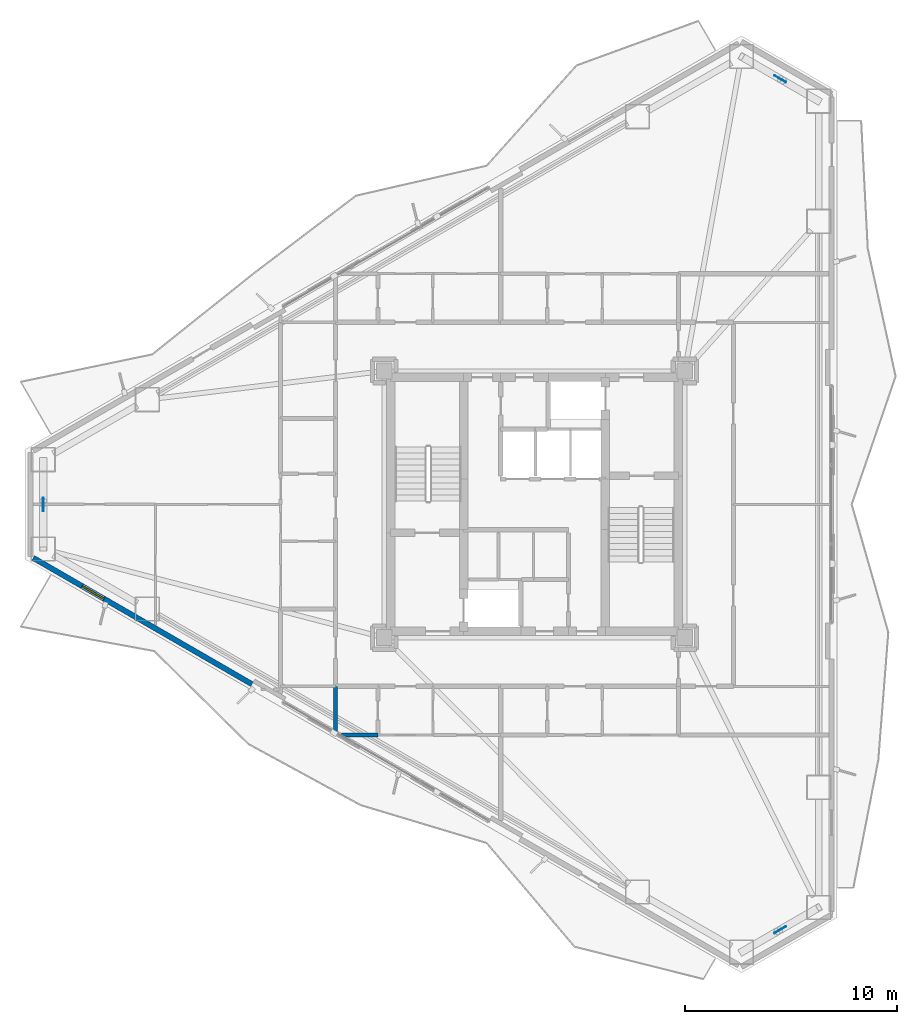
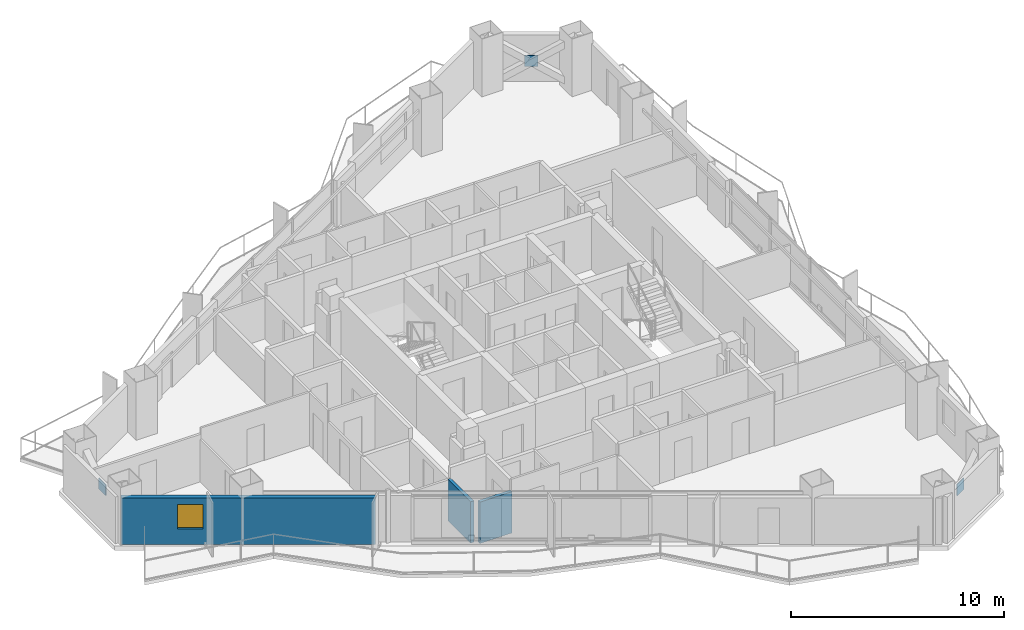
# One storey, part 15 of 23: 3 plates, 3 walls, 1 window, 1 opening.
"""IFC4 building model written with IfcOpenShell, lengths in metres."""

from ifc_helpers import new_model, si_unit, direction, frame, frame_2d, origin, origin_2d, place, context, subcontext, project, spatial, rectangle, extrude, material, layer, layer_set, type_object, element, fill, save


model = new_model("IFC4")

# Units and contexts
model_context = context("Model", 3, precision=1e-05, world=origin(), true_north=direction((0.0, 1.0)))
body_context = subcontext(model_context, "Body", "Model", "MODEL_VIEW")
ifc_project = project(units=[si_unit("LENGTHUNIT", "METRE"), si_unit("AREAUNIT", "SQUARE_METRE"), si_unit("VOLUMEUNIT", "CUBIC_METRE"), si_unit("PLANEANGLEUNIT", "RADIAN"), si_unit("MASSUNIT", "GRAM", prefix="KILO")], contexts=[model_context])

# Site, building, storey
site_placement = place(None, origin())
site = spatial("IfcSite", under=ifc_project, at=site_placement, CompositionType="ELEMENT")
building_placement = place(site_placement, origin())
building = spatial("IfcBuilding", under=site, at=building_placement, Name="Mersakhor Tower and Convention Hall", CompositionType="ELEMENT")
storey_placement = place(building_placement, frame((0.0, 0.0, 96.60009765625)))
storey = spatial("IfcBuildingStorey", under=building, at=storey_placement, Name="L26", CompositionType="ELEMENT", Elevation=96.60009765625)

# Plates
ifc_material_1 = material(Name="Steel S460", Category="steel")
ifc_layer_1 = layer(ifc_material_1, 0.0400390625)
ifc_layer_set_1 = layer_set([ifc_layer_1], Name="Steel S460")
plate_type = type_object("IfcPlateType", Name="PL-GUSSET-40", PredefinedType="SHEET", material=ifc_layer_set_1)
for number, where, z_axis, x_axis, name in (
    (1, (40.606689453125, 46.853515625, 1.205078125), (0.0, 0.0, 1.0), (-0.866025403784, 0.5, 0.0), "L26 X-Brace Crossing Gusset Node Plate"),
    (2, (40.606689453125, 6.646728515625, 1.205078125), (0.0, 0.0, 1.0), (0.866025403784, 0.5, 0.0), "L26 X-Brace Crossing Gusset Node Plate"),
    (3, (5.78662109375, 26.75, 1.205078125), (0.0, 0.0, 1.0), (0.0, -1.0, 0.0), "L26 X-Brace Crossing Gusset Node Plate"),
):
    element("IfcPlate", number, at=place(storey_placement, frame(where, z_axis=z_axis, x_axis=x_axis)), inside=storey, type_object=plate_type, Name=name, PredefinedType="SHEET", context=body_context, shape_type="SweptSolid", body=[
        extrude(rectangle(XDim=0.639892578125, YDim=0.0400390625, at=origin_2d()), origin(), (0.0, 0.0, 1.0), 0.639892578125),
    ])

# Wall, opening, window
ifc_material_2 = material(Name="Precast concrete C40/50", Category="concrete")
ifc_layer_2 = layer(ifc_material_2, 0.25)
ifc_layer_set_2 = layer_set([ifc_layer_2], Name="Precast concrete C40/50")
wall_type_1 = type_object("IfcWallType", Name="WL-EXT-250", PredefinedType="SOLIDWALL", material=ifc_layer_set_2)
wall_1_placement = place(storey_placement, frame((15.64794921875, 18.2529296875, 0.0), z_axis=(0.0, 0.0, 1.0), x_axis=(-0.866023023012, 0.500004123596, 0.0)))
wall_1 = element("IfcWall", 4, at=wall_1_placement, inside=storey, type_object=wall_type_1, Name="L26 Exterior Facade Wall F3-B3", PredefinedType="SOLIDWALL", context=body_context, shape_type="SweptSolid", body=[
    extrude(rectangle(XDim=11.9296875, YDim=0.25, at=frame_2d((5.96484375, 0.0))), origin(), (0.0, 0.0, 1.0), 2.669921875),
])
opening_placement = place(wall_1_placement, frame((8.071044921875, 0.0, 0.89990234375)))
opening = element("IfcOpeningElement", 5, at=opening_placement, cuts=wall_1, Name="Opening W-01", PredefinedType="OPENING", context=body_context, shape_type="SweptSolid", body=[
    extrude(rectangle(XDim=1.199951171875, YDim=1.39990234375, at=frame_2d((0.60009765625, 0.699951171875))), frame((0.0, 0.135009765625, 0.0), z_axis=(0.0, -1.0, 0.0), x_axis=(1.0, 0.0, 0.0)), (0.0, 0.0, 1.0), 0.27001953125),
])
ifc_material_3 = material(Name="Dark solar low-E glazed aluminium window", Category="aluminium")
window_type = type_object("IfcWindowType", Name="WN-RES-120x150", PartitioningType="SINGLE_PANEL", PredefinedType="WINDOW", material=ifc_material_3)
window_placement = place(opening_placement, origin())
window = element("IfcWindow", 6, at=window_placement, inside=storey, type_object=window_type, Name="L26 Bedroom Facade Window F3-B3-1", OverallHeight=1.39990234375, OverallWidth=1.199951171875, PartitioningType="SINGLE_PANEL", PredefinedType="WINDOW", context=body_context, shape_type="SweptSolid", body=[
    extrude(rectangle(XDim=1.199951171875, YDim=1.39990234375, at=frame_2d((0.60009765625, 0.699951171875))), frame((0.0, 0.030029296875, 0.0), z_axis=(0.0, -1.0, 0.0), x_axis=(1.0, 0.0, 0.0)), (0.0, 0.0, 1.0), 0.06005859375),
])
fill(opening, window)

# Walls
ifc_material_4 = material(Name="Moisture-resistant acoustic drywall studwork", Category="other")
ifc_layer_3 = layer(ifc_material_4, 0.175048828125)
ifc_layer_set_3 = layer_set([ifc_layer_3], Name="Moisture-resistant acoustic drywall studwork")
wall_type_2 = type_object("IfcWallType", Name="WL-PLM-175", PredefinedType="PLUMBINGWALL", material=ifc_layer_set_3)
wall_2_placement = place(storey_placement, frame((21.60009765625, 15.85009765625, 0.0), z_axis=(0.0, 0.0, 1.0), x_axis=(-1.0, 0.0, 0.0)))
element("IfcWall", 7, at=wall_2_placement, inside=storey, type_object=wall_type_2, Name="L26 Interior Partition Wall P-083", PredefinedType="PLUMBINGWALL", context=body_context, shape_type="SweptSolid", body=[
    extrude(rectangle(XDim=1.724609375, YDim=0.175048828125, at=frame_2d((0.8623046875, 0.0))), origin(), (0.0, 0.0, 1.0), 2.364990234375),
])
wall_3_placement = place(storey_placement, frame((19.60009765625, 16.012939453125, 0.0), z_axis=(0.0, 0.0, 1.0), x_axis=(0.0, 1.0, 0.0)))
element("IfcWall", 8, at=wall_3_placement, inside=storey, type_object=wall_type_2, Name="L26 Interior Partition Wall P-084", PredefinedType="PLUMBINGWALL", context=body_context, shape_type="SweptSolid", body=[
    extrude(rectangle(XDim=2.136962890625, YDim=0.175048828125, at=frame_2d((1.068359375, 0.0))), origin(), (0.0, 0.0, 1.0), 2.364990234375),
])

save(model, "model.ifc")
